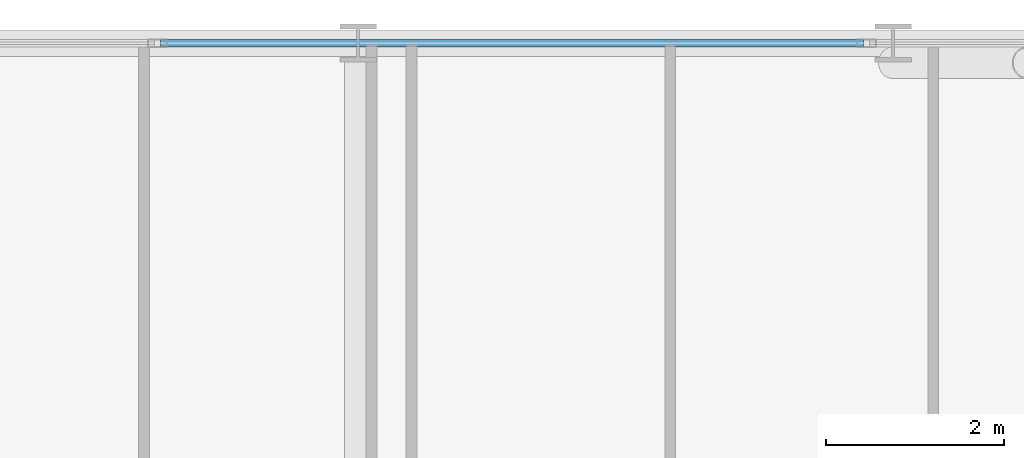
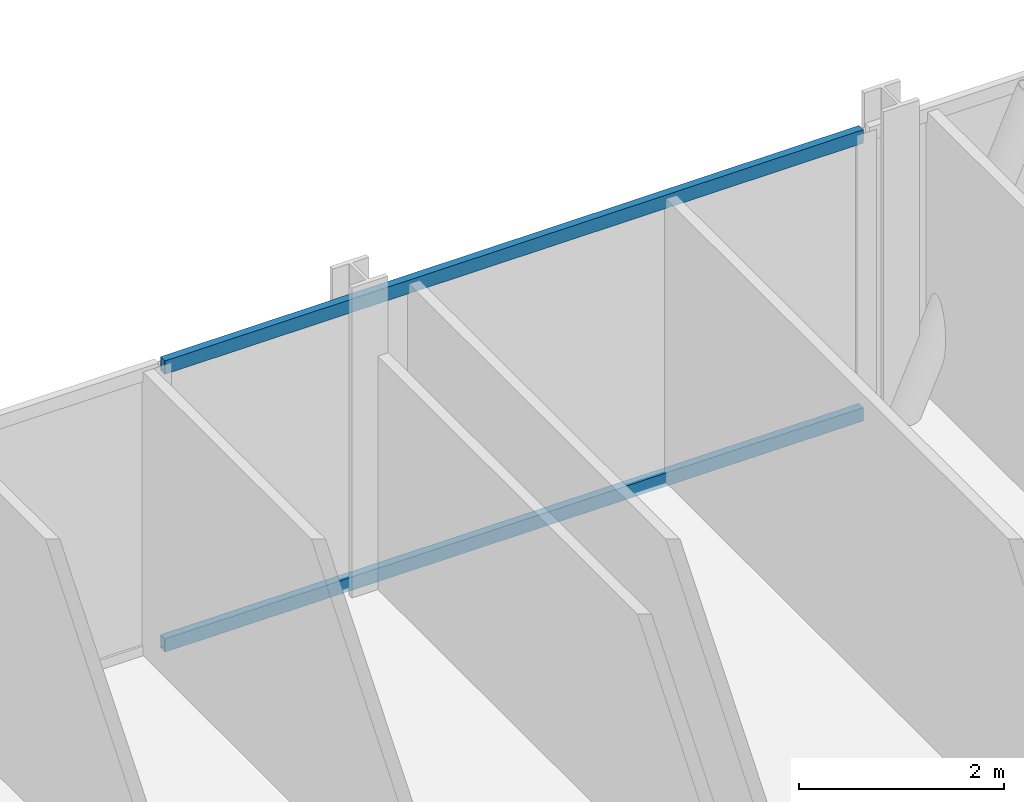
# One storey, part 14 of 35: 2 members, 1 element without a shape of its own.
"""IFC4 building model written with IfcOpenShell, lengths in metres."""

from ifc_helpers import new_model, si_unit, direction, frame, origin, origin_2d, place, context, subcontext, project, spatial, hollow_rectangle, extrude, material, layer, layer_set, material_profile, profile_set, type_object, element, aggregate, save


model = new_model("IFC4")

# Units and contexts
model_context = context("Model", 3, precision=1e-05, world=origin(), true_north=direction((0.0, 1.0)))
body_context = subcontext(model_context, "Body", "Model", "MODEL_VIEW")
ifc_project = project(units=[si_unit("LENGTHUNIT", "METRE"), si_unit("AREAUNIT", "SQUARE_METRE"), si_unit("VOLUMEUNIT", "CUBIC_METRE"), si_unit("PLANEANGLEUNIT", "RADIAN"), si_unit("MASSUNIT", "GRAM", prefix="KILO")], contexts=[model_context])

# Site, building, storey
site_placement = place(None, origin())
site = spatial("IfcSite", under=ifc_project, at=site_placement, CompositionType="ELEMENT")
building_placement = place(site_placement, origin())
building = spatial("IfcBuilding", under=site, at=building_placement, Name="Keshet Zoharim Tower", CompositionType="ELEMENT")
storey_placement = place(building_placement, frame((0.0, 0.0, 24.0)))
storey = spatial("IfcBuildingStorey", under=building, at=storey_placement, Name="L04", CompositionType="ELEMENT", Elevation=24.0)

# Curtain wall, members
ifc_material = material(Name="Aluminium 6063-T6", Category="aluminium")
ifc_layer = layer(ifc_material, 0.169921875)
ifc_layer_set = layer_set([ifc_layer], Name="Aluminium 6063-T6")
curtain_wall_type = type_object("IfcCurtainWallType", Name="CW-SYS-02", PredefinedType="NOTDEFINED", material=ifc_layer_set)
curtain_wall_placement = place(storey_placement, origin())
curtain_wall = element("IfcCurtainWall", 1, at=curtain_wall_placement, inside=storey, type_object=curtain_wall_type, Name="L04 Unitised Curtain Wall 07 Part 3", PredefinedType="NOTDEFINED")
ifc_material_profile = material_profile(ifc_material, hollow_rectangle(XDim=0.0849609375, YDim=0.159912109375, WallThickness=0.00439453125, at=origin_2d()), Name="TRN-85x160")
ifc_profile_set = profile_set([ifc_material_profile], Name="Aluminium 6063-T6")
member_type = type_object("IfcMemberType", Name="CWT-T16", PredefinedType="USERDEFINED", material=ifc_profile_set)
member_1_placement = place(storey_placement, frame((30.784912109375, 53.89990234375, 0.034912109375), z_axis=(1.0, 0.0, 0.0), x_axis=(0.0, 1.0, 0.0)))
member_1 = element("IfcMember", 2, at=member_1_placement, type_object=member_type, Name="CW-02 transom 2.1", ObjectType="TRANSOM", PredefinedType="USERDEFINED", context=body_context, shape_type="SweptSolid", body=[
    extrude(hollow_rectangle(XDim=0.0849609375, YDim=0.159912109375, WallThickness=0.00439453125, at=origin_2d()), origin(), (0.0, 0.0, 1.0), 7.882568359375),
])
member_2_placement = place(storey_placement, frame((30.784912109375, 53.89990234375, 3.35009765625), z_axis=(1.0, 0.0, 0.0), x_axis=(0.0, 1.0, 0.0)))
member_2 = element("IfcMember", 3, at=member_2_placement, type_object=member_type, Name="CW-02 transom 2.2", ObjectType="TRANSOM", PredefinedType="USERDEFINED", context=body_context, shape_type="SweptSolid", body=[
    extrude(hollow_rectangle(XDim=0.0849609375, YDim=0.159912109375, WallThickness=0.00439453125, at=origin_2d()), origin(), (0.0, 0.0, 1.0), 7.882568359375),
])
aggregate(curtain_wall, [member_1, member_2])

save(model, "model.ifc")
